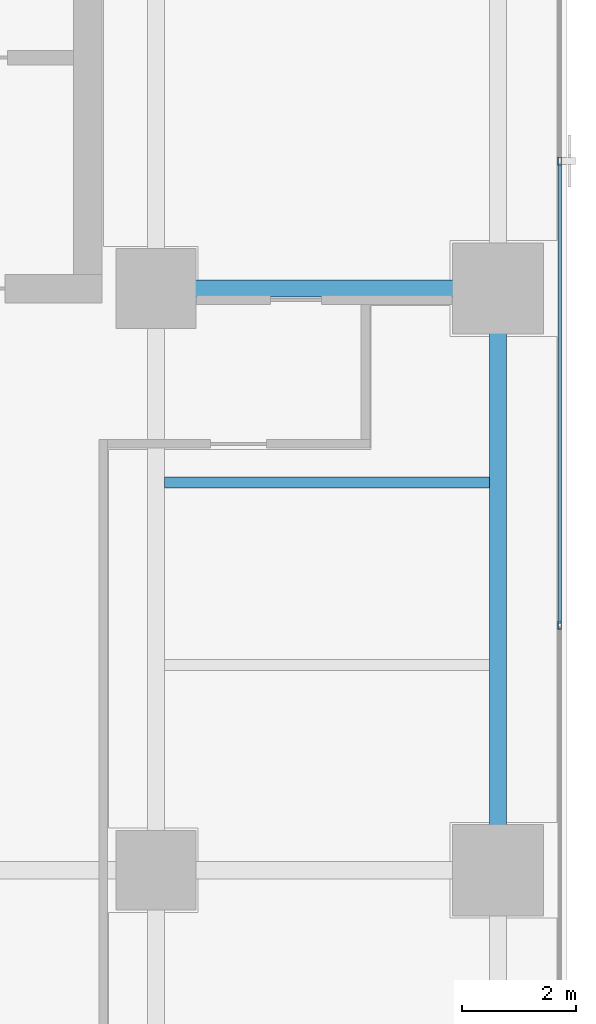
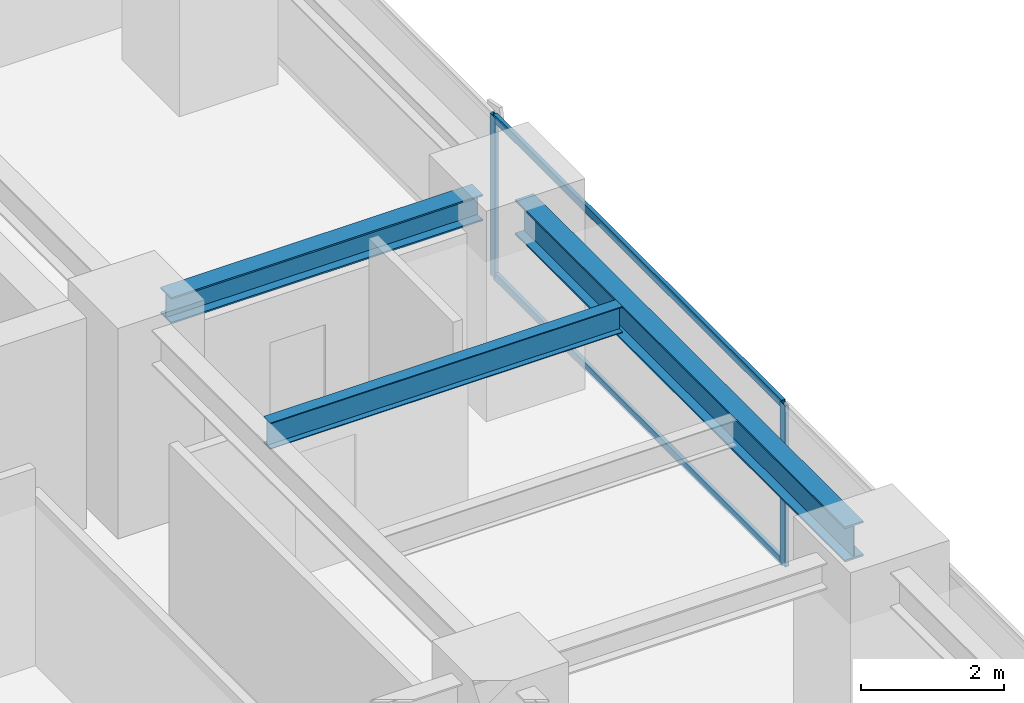
# One storey, part 17 of 29: 4 members, 3 beams, 1 element without a shape of its own.
"""IFC4 building model written with IfcOpenShell, lengths in metres."""

import ifcopenshell
import ifcopenshell.guid

model = None  # the IFC model being written
_history = None  # IfcOwnerHistory: only IFC2X3 demands one
_inside = {}  # id of a spatial element -> (the spatial element, [elements in it])
_under = {}  # id of a project, library or spatial element -> (it, [spatial elements below it])
_declared = {}  # id of a project -> (the project, [libraries it declares])
_typed = {}  # id of a type object -> (the type object, [elements of that type])
_made_of = {}  # id of a material, layer set ... -> (it, [elements and type objects made of it])


def new_model(schema):
    """Start an empty IFC model of exactly this schema.

    Asked for "IFC4X3", IfcOpenShell would pick the latest addendum, in which some entities
    have other attributes; the version numbers below select the first issue.
    IFC2X3 requires an IfcOwnerHistory on every rooted entity: one is made here for all.
    """
    global model, _history
    if schema == "IFC4X3":
        model = ifcopenshell.file(schema_version=(4, 3, 0, 0))
    else:
        model = ifcopenshell.file(schema=schema)
    _inside.clear()
    _under.clear()
    _declared.clear()
    _typed.clear()
    _made_of.clear()
    _history = None
    if model.schema == "IFC2X3":
        org = make("IfcOrganization", Name="unknown")
        user = make(
            "IfcPersonAndOrganization",
            ThePerson=make("IfcPerson", FamilyName="unknown"),
            TheOrganization=org,
        )
        app = make(
            "IfcApplication",
            ApplicationDeveloper=org,
            Version="unknown",
            ApplicationFullName="unknown",
            ApplicationIdentifier="unknown",
        )
        _history = make(
            "IfcOwnerHistory",
            OwningUser=user,
            OwningApplication=app,
            ChangeAction="ADDED",
            CreationDate=0,
        )
    return model


def make(cls, **values):
    """One entity of the class cls with the attributes given. An attribute that is None is left unset."""
    return model.create_entity(
        cls, **{name: value for name, value in values.items() if value is not None}
    )


def rooted(cls, **values):
    """An entity with a GlobalId (a new one), such as an element, a storey or a relation."""
    return make(cls, GlobalId=ifcopenshell.guid.new(), OwnerHistory=_history, **values)


def si_unit(unit_type, name, prefix=None):
    """IfcSIUnit, for example si_unit("LENGTHUNIT", "METRE", prefix="MILLI")."""
    return make("IfcSIUnit", UnitType=unit_type, Prefix=prefix, Name=name)


def assignment(units):
    """IfcUnitAssignment: the units of a project."""
    return None if units is None else make("IfcUnitAssignment", Units=units)


def point(xyz):
    """IfcCartesianPoint."""
    return None if xyz is None else make("IfcCartesianPoint", Coordinates=xyz)


def direction(xyz):
    """IfcDirection."""
    return None if xyz is None else make("IfcDirection", DirectionRatios=xyz)


def frame(location, z_axis=None, x_axis=None):
    """IfcAxis2Placement3D, a coordinate frame: its origin and axes. An axis left out is left unset."""
    return make(
        "IfcAxis2Placement3D",
        Location=point(location),
        Axis=direction(z_axis),
        RefDirection=direction(x_axis),
    )


def frame_2d(location, x_axis=None):
    """IfcAxis2Placement2D, a coordinate frame in the plane: its origin and x axis."""
    return make(
        "IfcAxis2Placement2D", Location=point(location), RefDirection=direction(x_axis)
    )


def origin():
    """The frame at (0, 0, 0) with its axes left unset."""
    return frame((0.0, 0.0, 0.0))


def origin_2d():
    """The frame at (0, 0) in the plane with its x axis left unset."""
    return frame_2d((0.0, 0.0))


def place(relative_to, where):
    """IfcLocalPlacement: puts the frame where relative to a parent placement (None: the world)."""
    return make(
        "IfcLocalPlacement", PlacementRelTo=relative_to, RelativePlacement=where
    )


def context(
    kind, dimensions, precision=None, world=None, true_north=None, identifier=None
):
    """IfcGeometricRepresentationContext, for example the 3D "Model" context."""
    return make(
        "IfcGeometricRepresentationContext",
        ContextIdentifier=identifier,
        ContextType=kind,
        CoordinateSpaceDimension=dimensions,
        Precision=precision,
        WorldCoordinateSystem=world,
        TrueNorth=true_north,
    )


def subcontext(parent, identifier, kind, view, scale=None):
    """IfcGeometricRepresentationSubContext, for example "Body" below "Model"."""
    return make(
        "IfcGeometricRepresentationSubContext",
        ContextIdentifier=identifier,
        ContextType=kind,
        ParentContext=parent,
        TargetScale=scale,
        TargetView=view,
    )


def project(units=None, contexts=None):
    """IfcProject with its units and contexts."""
    return rooted(
        "IfcProject",
        Name="project",
        RepresentationContexts=contexts,
        UnitsInContext=assignment(units),
    )


def spatial(cls, under=None, at=None, **own):
    """A site, building, storey or space (cls), placed at a placement, below another one or the project."""
    s = rooted(cls, ObjectPlacement=at, **own)
    if under is not None:
        _under.setdefault(under.id(), (under, []))[1].append(s)
    return s


def profile(cls, at=None, kind="AREA", **sizes):
    """A parametric profile (cls). Its sizes go by their IFC names, for example OverallWidth=200.0."""
    return make(cls, ProfileType=kind, Position=at, **sizes)


def hollow_rectangle(**sizes):
    """IfcRectangleHollowProfileDef."""
    return profile("IfcRectangleHollowProfileDef", **sizes)


def i_section(**sizes):
    """IfcIShapeProfileDef."""
    return profile("IfcIShapeProfileDef", **sizes)


def extrude(swept, where, along, depth):
    """IfcExtrudedAreaSolid: the profile swept, set in the frame where, extruded along a direction by depth."""
    return make(
        "IfcExtrudedAreaSolid",
        SweptArea=swept,
        Position=where,
        ExtrudedDirection=direction(along),
        Depth=depth,
    )


def shape(context_of_items, identifier, shape_type, items):
    """IfcShapeRepresentation: the items that make up one representation, for example the "Body"."""
    return make(
        "IfcShapeRepresentation",
        ContextOfItems=context_of_items,
        RepresentationIdentifier=identifier,
        RepresentationType=shape_type,
        Items=items,
    )


def source(mapping_origin, context_of_items, identifier, shape_type, items):
    """IfcRepresentationMap: a shape defined once, which mapped items show again and again."""
    return make(
        "IfcRepresentationMap",
        MappingOrigin=mapping_origin,
        MappedRepresentation=shape(context_of_items, identifier, shape_type, items),
    )


def transform(
    local_origin,
    x_axis=None,
    y_axis=None,
    z_axis=None,
    scale=None,
    scale2=None,
    scale3=None,
    uniform=True,
):
    """IfcCartesianTransformationOperator3D, or its non-uniform kind. x_axis, y_axis, z_axis: its Axis1, 2, 3."""
    if uniform:
        return make(
            "IfcCartesianTransformationOperator3D",
            Axis1=direction(x_axis),
            Axis2=direction(y_axis),
            LocalOrigin=point(local_origin),
            Scale=scale,
            Axis3=direction(z_axis),
        )
    return make(
        "IfcCartesianTransformationOperator3DnonUniform",
        Axis1=direction(x_axis),
        Axis2=direction(y_axis),
        LocalOrigin=point(local_origin),
        Scale=scale,
        Axis3=direction(z_axis),
        Scale2=scale2,
        Scale3=scale3,
    )


def mapped(mapping_source, mapping_target):
    """IfcMappedItem: shows the shape of a source again, moved by a transform."""
    return make(
        "IfcMappedItem", MappingSource=mapping_source, MappingTarget=mapping_target
    )


def material(Name=None, Category=None):
    """IfcMaterial."""
    return make("IfcMaterial", Name=Name, Category=Category)


def layer(
    of_material, thickness, ventilated=None, Name=None, Category=None, Priority=None
):
    """IfcMaterialLayer: one layer of a wall or slab, of a material (None: an air gap)."""
    return make(
        "IfcMaterialLayer",
        Material=of_material,
        LayerThickness=thickness,
        IsVentilated=ventilated,
        Name=Name,
        Category=Category,
        Priority=Priority,
    )


def layer_set(layers, Name=None):
    """IfcMaterialLayerSet."""
    return make("IfcMaterialLayerSet", MaterialLayers=layers, LayerSetName=Name)


def material_profile(
    of_material, cross_section, Name=None, Category=None, Priority=None
):
    """IfcMaterialProfile: a cross section and its material."""
    return make(
        "IfcMaterialProfile",
        Name=Name,
        Material=of_material,
        Profile=cross_section,
        Priority=Priority,
        Category=Category,
    )


def profile_set(profiles, Name=None, composite=None):
    """IfcMaterialProfileSet."""
    return make(
        "IfcMaterialProfileSet",
        Name=Name,
        MaterialProfiles=profiles,
        CompositeProfile=composite,
    )


def made_of(thing, what):
    """Note that an element or type object is made of a material, layer set ...; save() writes the relation."""
    if what is not None:
        _made_of.setdefault(what.id(), (what, []))[1].append(thing)
    return thing


def type_object(cls, material=None, **own):
    """A type object (cls), such as IfcWallType, which elements share."""
    return made_of(rooted(cls, **own), material)


def element(
    cls,
    number,
    at=None,
    inside=None,
    cuts=None,
    type_object=None,
    material=None,
    context=None,
    identifier="Body",
    shape_type=None,
    held_by="IfcProductDefinitionShape",
    body=None,
    shapes=None,
    **own,
):
    """One element of the class cls, such as IfcWall. Its Tag is "e" and its number.

    at: its placement. inside: the storey or other place that contains it. cuts: it is an
    opening in that element (IfcRelVoidsElement). A single representation is given by context,
    identifier, shape_type and body (its items); several are given by shapes. held_by: the class
    of the entity that holds the representations. save() writes the other relations.
    """
    e = rooted(cls, Tag="e%d" % number, ObjectPlacement=at, **own)
    if body is not None:
        shapes = [shape(context, identifier, shape_type, body)]
    if shapes is not None:
        e.Representation = make(held_by, Representations=shapes)
    if inside is not None:
        _inside.setdefault(inside.id(), (inside, []))[1].append(e)
    if cuts is not None:
        rooted(
            "IfcRelVoidsElement", RelatingBuildingElement=cuts, RelatedOpeningElement=e
        )
    if type_object is not None:
        _typed.setdefault(type_object.id(), (type_object, []))[1].append(e)
    return made_of(e, material)


def aggregate(whole, parts):
    """IfcRelAggregates: a whole, such as a stair, and the parts it consists of."""
    return rooted("IfcRelAggregates", RelatingObject=whole, RelatedObjects=parts)


def save(model, path):
    """Write the relations noted so far, then the file.

    IfcRelAggregates (storeys below a building ...), IfcRelContainedInSpatialStructure (elements
    in a storey), IfcRelDefinesByType, IfcRelAssociatesMaterial and IfcRelDeclares: one each for
    every whole, place, type object, material and project.
    """
    for whole, parts in _under.values():
        aggregate(whole, parts)
    for where, things in _inside.values():
        rooted(
            "IfcRelContainedInSpatialStructure",
            RelatedElements=things,
            RelatingStructure=where,
        )
    for kind, things in _typed.values():
        rooted("IfcRelDefinesByType", RelatedObjects=things, RelatingType=kind)
    for what, things in _made_of.values():
        rooted("IfcRelAssociatesMaterial", RelatedObjects=things, RelatingMaterial=what)
    for by, libraries in _declared.values():
        rooted("IfcRelDeclares", RelatingContext=by, RelatedDefinitions=libraries)
    model.write(path)


model = new_model("IFC4")

# Units and contexts
model_context = context("Model", 3, precision=1e-05, world=origin(), true_north=direction((0.0, 1.0)))
body_context = subcontext(model_context, "Body", "Model", "MODEL_VIEW")
ifc_project = project(units=[si_unit("LENGTHUNIT", "METRE"), si_unit("AREAUNIT", "SQUARE_METRE"), si_unit("VOLUMEUNIT", "CUBIC_METRE"), si_unit("PLANEANGLEUNIT", "RADIAN"), si_unit("MASSUNIT", "GRAM", prefix="KILO")], contexts=[model_context])

# Site, building, storey
site_placement = place(None, origin())
site = spatial("IfcSite", under=ifc_project, at=site_placement, CompositionType="ELEMENT")
building_placement = place(site_placement, origin())
building = spatial("IfcBuilding", under=site, at=building_placement, Name="Sumidabori Civic Tower", CompositionType="ELEMENT")
storey_placement = place(building_placement, frame((0.0, 0.0, 207.199951171875)))
storey = spatial("IfcBuildingStorey", under=building, at=storey_placement, Name="L53", CompositionType="ELEMENT", Elevation=207.199951171875)

# Beams
ifc_material_1 = material(Name="Steel SN490", Category="steel")
ifc_material_profile_1 = material_profile(ifc_material_1, i_section(OverallWidth=0.300048828125, OverallDepth=0.60009765625, WebThickness=0.015380859375, FlangeThickness=0.030029296875, at=origin_2d()), Name="HE 600 B")
ifc_profile_set_1 = profile_set([ifc_material_profile_1], Name="Steel SN490")
beam_type_1 = type_object("IfcBeamType", Name="BM-GIRD-600", PredefinedType="BEAM", material=ifc_profile_set_1)
shared_shape_1 = source(origin(), body_context, "Body", "SweptSolid", [
    extrude(i_section(OverallWidth=0.300048828125, OverallDepth=0.60009765625, WebThickness=0.015380859375, FlangeThickness=0.030029296875, at=origin_2d()), origin(), (0.0, 0.0, 1.0), 9.239990234375),
])
beam_1_placement = place(storey_placement, frame((22.800048828125, 0.47998046875, 3.080078125), z_axis=(0.0, 1.0, 0.0), x_axis=(-1.0, 0.0, 0.0)))
element("IfcBeam", 1, at=beam_1_placement, inside=storey, type_object=beam_type_1, Name="Primary Girder L53 GY-23", PredefinedType="BEAM", context=body_context, shape_type="MappedRepresentation", body=[
    mapped(shared_shape_1, transform((0.0, 0.0, 0.0), x_axis=(1.0, 0.0, 0.0), y_axis=(0.0, 1.0, 0.0), z_axis=(0.0, 0.0, 1.0), scale=1.0)),
])
ifc_material_profile_2 = material_profile(ifc_material_1, i_section(OverallWidth=0.18994140625, OverallDepth=0.449951171875, WebThickness=0.009521484375, FlangeThickness=0.0146484375, at=origin_2d()), Name="IPE 450")
ifc_profile_set_2 = profile_set([ifc_material_profile_2], Name="Steel SN490")
beam_type_2 = type_object("IfcBeamType", Name="BM-JST-450", PredefinedType="JOIST", material=ifc_profile_set_2)
shared_shape_2 = source(origin(), body_context, "Body", "SweptSolid", [
    extrude(i_section(OverallWidth=0.18994140625, OverallDepth=0.449951171875, WebThickness=0.009521484375, FlangeThickness=0.0146484375, at=origin_2d()), origin(), (0.0, 0.0, 1.0), 5.699951171875),
])
beam_2_placement = place(storey_placement, frame((16.949951171875, 6.800048828125, 3.155029296875), z_axis=(1.0, 0.0, 0.0), x_axis=(0.0, 1.0, 0.0)))
element("IfcBeam", 2, at=beam_2_placement, inside=storey, type_object=beam_type_2, Name="Outer Bay Floor Joist L53 JSTO-32", PredefinedType="JOIST", context=body_context, shape_type="MappedRepresentation", body=[
    mapped(shared_shape_2, transform((0.0, 0.0, 0.0), x_axis=(1.0, 0.0, 0.0), y_axis=(0.0, 1.0, 0.0), z_axis=(0.0, 0.0, 1.0), scale=1.0)),
])
ifc_material_profile_3 = material_profile(ifc_material_1, i_section(OverallWidth=0.300048828125, OverallDepth=0.449951171875, WebThickness=0.013916015625, FlangeThickness=0.02587890625, at=origin_2d()), Name="HE 450 B")
ifc_profile_set_3 = profile_set([ifc_material_profile_3], Name="Steel SN490")
beam_type_3 = type_object("IfcBeamType", Name="BM-GIRD-450", PredefinedType="BEAM", material=ifc_profile_set_3)
shared_shape_3 = source(origin(), body_context, "Body", "SweptSolid", [
    extrude(i_section(OverallWidth=0.300048828125, OverallDepth=0.449951171875, WebThickness=0.013916015625, FlangeThickness=0.02587890625, at=origin_2d()), origin(), (0.0, 0.0, 1.0), 5.0400390625),
])
beam_3_placement = place(storey_placement, frame((17.280029296875, 10.199951171875, 3.155029296875), z_axis=(1.0, 0.0, 0.0), x_axis=(0.0, 1.0, 0.0)))
element("IfcBeam", 3, at=beam_3_placement, inside=storey, type_object=beam_type_3, Name="Primary Girder L53 GX-10", PredefinedType="BEAM", context=body_context, shape_type="MappedRepresentation", body=[
    mapped(shared_shape_3, transform((0.0, 0.0, 0.0), x_axis=(1.0, 0.0, 0.0), y_axis=(0.0, 1.0, 0.0), z_axis=(0.0, 0.0, 1.0), scale=1.0)),
])

# Curtain wall, members
ifc_material_2 = material(Name="Anodised Bronze Aluminium AW-6063-T6", Category="aluminium")
ifc_layer = layer(ifc_material_2, 0.179931640625, Name="Anodised Bronze Aluminium AW-6063-T6")
ifc_layer_set = layer_set([ifc_layer], Name="Anodised Bronze Aluminium AW-6063-T6")
curtain_wall_type = type_object("IfcCurtainWallType", Name="CW-SYS-5", PredefinedType="NOTDEFINED", material=ifc_layer_set)
curtain_wall_placement = place(storey_placement, origin())
curtain_wall = element("IfcCurtainWall", 4, at=curtain_wall_placement, inside=storey, type_object=curtain_wall_type, Name="Curtain Wall CW:L53:R10", PredefinedType="NOTDEFINED")
ifc_material_profile_4 = material_profile(ifc_material_2, hollow_rectangle(XDim=0.06005859375, YDim=0.139892578125, WallThickness=0.0048828125, at=origin_2d()), Name="ALU MULLION 140x60")
ifc_profile_set_4 = profile_set([ifc_material_profile_4], Name="Anodised Bronze Aluminium AW-6063-T6")
member_type_1 = type_object("IfcMemberType", Name="CW-MUL-140", PredefinedType="MULLION", material=ifc_profile_set_4)
shared_shape_4 = source(origin(), body_context, "Body", "SweptSolid", [
    extrude(hollow_rectangle(XDim=0.06005859375, YDim=0.139892578125, WallThickness=0.0048828125, at=origin_2d()), origin(), (0.0, 0.0, 1.0), 2.760009765625),
])
member_1_placement = place(storey_placement, frame((23.8798828125, 4.300048828125, 0.0), z_axis=(0.0, 0.0, 1.0), x_axis=(-1.0, 0.0, 0.0)))
member_1 = element("IfcMember", 5, at=member_1_placement, type_object=member_type_1, Name="CW-5 mullion 3", PredefinedType="MULLION", context=body_context, shape_type="MappedRepresentation", body=[
    mapped(shared_shape_4, transform((0.0, 0.0, 0.0), x_axis=(1.0, 0.0, 0.0), y_axis=(0.0, 1.0, 0.0), z_axis=(0.0, 0.0, 1.0), scale=1.0)),
])
member_2_placement = place(storey_placement, frame((23.8798828125, 12.43505859375, 0.0), z_axis=(0.0, 0.0, 1.0), x_axis=(-1.0, 0.0, 0.0)))
member_2 = element("IfcMember", 6, at=member_2_placement, type_object=member_type_1, Name="CW-5 mullion 4", PredefinedType="MULLION", context=body_context, shape_type="MappedRepresentation", body=[
    mapped(shared_shape_4, transform((0.0, 0.0, 0.0), x_axis=(1.0, 0.0, 0.0), y_axis=(0.0, 1.0, 0.0), z_axis=(0.0, 0.0, 1.0), scale=1.0)),
])
ifc_material_profile_5 = material_profile(ifc_material_2, hollow_rectangle(XDim=0.06005859375, YDim=0.1298828125, WallThickness=0.0048828125, at=origin_2d()), Name="ALU TRANSOM 130x60")
ifc_profile_set_5 = profile_set([ifc_material_profile_5], Name="Anodised Bronze Aluminium AW-6063-T6")
member_type_2 = type_object("IfcMemberType", Name="CW-TRN-130", PredefinedType="USERDEFINED", material=ifc_profile_set_5)
shared_shape_5 = source(origin(), body_context, "Body", "SweptSolid", [
    extrude(hollow_rectangle(XDim=0.06005859375, YDim=0.1298828125, WallThickness=0.0048828125, at=origin_2d()), origin(), (0.0, 0.0, 1.0), 8.074951171875),
])
member_3_placement = place(storey_placement, frame((23.8798828125, 4.330078125, 0.030029296875), z_axis=(0.0, 1.0, 0.0), x_axis=(-1.0, 0.0, 0.0)))
member_3 = element("IfcMember", 7, at=member_3_placement, type_object=member_type_2, Name="CW-5 transom 3.1", ObjectType="TRANSOM", PredefinedType="USERDEFINED", context=body_context, shape_type="MappedRepresentation", body=[
    mapped(shared_shape_5, transform((0.0, 0.0, 0.0), x_axis=(1.0, 0.0, 0.0), y_axis=(0.0, 1.0, 0.0), z_axis=(0.0, 0.0, 1.0), scale=1.0)),
])
member_4_placement = place(storey_placement, frame((23.8798828125, 4.330078125, 2.72998046875), z_axis=(0.0, 1.0, 0.0), x_axis=(-1.0, 0.0, 0.0)))
member_4 = element("IfcMember", 8, at=member_4_placement, type_object=member_type_2, Name="CW-5 transom 3.2", ObjectType="TRANSOM", PredefinedType="USERDEFINED", context=body_context, shape_type="MappedRepresentation", body=[
    mapped(shared_shape_5, transform((0.0, 0.0, 0.0), x_axis=(1.0, 0.0, 0.0), y_axis=(0.0, 1.0, 0.0), z_axis=(0.0, 0.0, 1.0), scale=1.0)),
])
aggregate(curtain_wall, [member_1, member_2, member_3, member_4])

save(model, "model.ifc")
